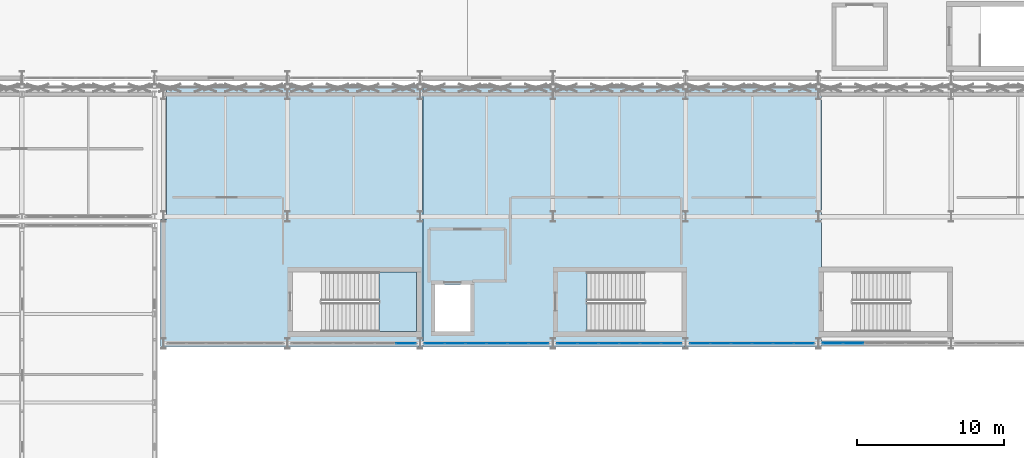
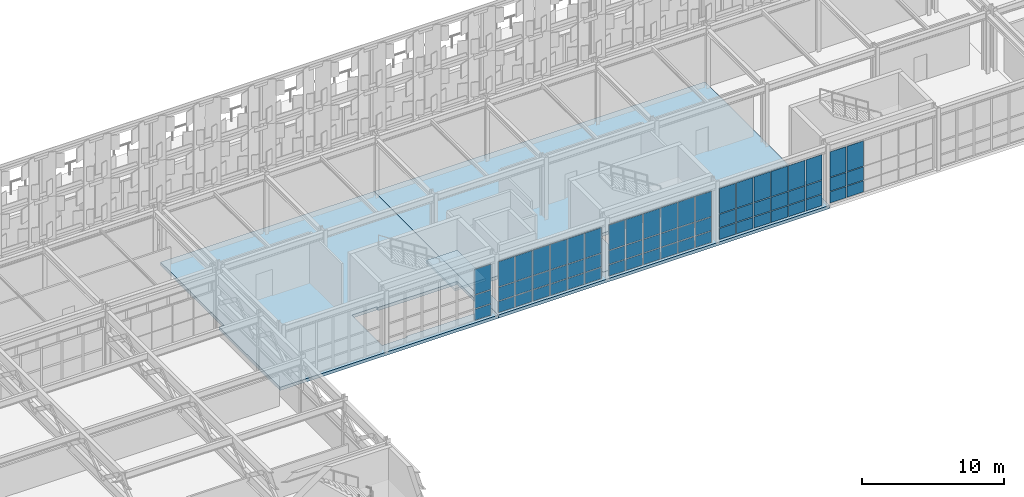
# One storey, part 137 of 210: 63 plates, 4 slabs, 6 elements without a shape of their own.
"""IFC4 building model written with IfcOpenShell, lengths in metres."""

from ifc_helpers import new_model, si_unit, direction, frame, origin, origin_2d, place, context, subcontext, project, spatial, polyline, rectangle, outline, extrude, material, layer, layer_set, type_object, element, aggregate, save


model = new_model("IFC4")

# Units and contexts
model_context = context("Model", 3, precision=1e-05, world=origin(), true_north=direction((0.0, 1.0)))
body_context = subcontext(model_context, "Body", "Model", "MODEL_VIEW")
ifc_project = project(units=[si_unit("LENGTHUNIT", "METRE"), si_unit("AREAUNIT", "SQUARE_METRE"), si_unit("VOLUMEUNIT", "CUBIC_METRE"), si_unit("PLANEANGLEUNIT", "RADIAN"), si_unit("MASSUNIT", "GRAM", prefix="KILO")], contexts=[model_context])

# Site, building, storey
site_placement = place(None, origin())
site = spatial("IfcSite", under=ifc_project, at=site_placement, CompositionType="ELEMENT")
building_placement = place(site_placement, origin())
building = spatial("IfcBuilding", under=site, at=building_placement, Name="Kaldris Quays Convention Centre", CompositionType="ELEMENT")
storey_placement = place(building_placement, frame((0.0, 0.0, 6.0)))
storey = spatial("IfcBuildingStorey", under=building, at=storey_placement, Name="L01", CompositionType="ELEMENT", Elevation=6.0)

# Curtain wall, plates
ifc_material_1 = material(Name="Anodized aluminium AW-6060 and triple glazing", Category="aluminium")
curtain_wall_type = type_object("IfcCurtainWallType", Name="UNITISED CURTAIN WALL CW04", PredefinedType="NOTDEFINED", material=ifc_material_1)
curtain_wall_1_placement = place(storey_placement, origin())
curtain_wall_1 = element("IfcCurtainWall", 1, at=curtain_wall_1_placement, inside=storey, type_object=curtain_wall_type, Name="L01 Unitised Curtain Wall CW04 108", PredefinedType="NOTDEFINED")
ifc_material_2 = material(Name="Triple low-E insulated glazing", Category="glass")
plate_type_1 = type_object("IfcPlateType", Name="CURTAIN GLAZING PANEL CWP4", PredefinedType="CURTAIN_PANEL", material=ifc_material_2)
plate_1_placement = place(storey_placement, frame((100.026611328125, 38.0, 0.06005859375), z_axis=(0.0, 0.0, 1.0), x_axis=(1.0, 0.0, 0.0)))
plate_1 = element("IfcPlate", 2, at=plate_1_placement, type_object=plate_type_1, Name="CW04 panel 6.1", PredefinedType="CURTAIN_PANEL", context=body_context, shape_type="SweptSolid", body=[
    extrude(rectangle(XDim=1.32666015625, YDim=0.0439453125, at=origin_2d()), origin(), (0.0, 0.0, 1.0), 0.9599609375),
])
plate_2_placement = place(storey_placement, frame((100.026611328125, 38.0, 1.080078125), z_axis=(0.0, 0.0, 1.0), x_axis=(1.0, 0.0, 0.0)))
plate_2 = element("IfcPlate", 3, at=plate_2_placement, type_object=plate_type_1, Name="CW04 panel 6.2", PredefinedType="CURTAIN_PANEL", context=body_context, shape_type="SweptSolid", body=[
    extrude(rectangle(XDim=1.32666015625, YDim=0.0439453125, at=origin_2d()), origin(), (0.0, 0.0, 1.0), 1.14892578125),
])
plate_3_placement = place(storey_placement, frame((100.026611328125, 38.0, 2.2890625), z_axis=(0.0, 0.0, 1.0), x_axis=(1.0, 0.0, 0.0)))
plate_3 = element("IfcPlate", 4, at=plate_3_placement, type_object=plate_type_1, Name="CW04 panel 6.3", PredefinedType="CURTAIN_PANEL", context=body_context, shape_type="SweptSolid", body=[
    extrude(rectangle(XDim=1.32666015625, YDim=0.0439453125, at=origin_2d()), origin(), (0.0, 0.0, 1.0), 2.1689453125),
])
aggregate(curtain_wall_1, [plate_1, plate_2, plate_3])

curtain_wall_2_placement = place(storey_placement, origin())
curtain_wall_2 = element("IfcCurtainWall", 5, at=curtain_wall_2_placement, inside=storey, type_object=curtain_wall_type, Name="L01 Unitised Curtain Wall CW04 109", PredefinedType="NOTDEFINED")
plate_type_2 = type_object("IfcPlateType", Name="CURTAIN GLAZING PANEL CWP5", PredefinedType="CURTAIN_PANEL", material=ifc_material_2)
plate_4_placement = place(storey_placement, frame((101.973388671875, 38.0, 0.06005859375), z_axis=(0.0, 0.0, 1.0), x_axis=(1.0, 0.0, 0.0)))
plate_4 = element("IfcPlate", 6, at=plate_4_placement, type_object=plate_type_2, Name="CW04 panel 1.1", PredefinedType="CURTAIN_PANEL", context=body_context, shape_type="SweptSolid", body=[
    extrude(rectangle(XDim=1.32666015625, YDim=0.049072265625, at=origin_2d()), origin(), (0.0, 0.0, 1.0), 0.9599609375),
])
plate_5_placement = place(storey_placement, frame((101.973388671875, 38.0, 1.080078125), z_axis=(0.0, 0.0, 1.0), x_axis=(1.0, 0.0, 0.0)))
plate_5 = element("IfcPlate", 7, at=plate_5_placement, type_object=plate_type_2, Name="CW04 panel 1.2", PredefinedType="CURTAIN_PANEL", context=body_context, shape_type="SweptSolid", body=[
    extrude(rectangle(XDim=1.32666015625, YDim=0.049072265625, at=origin_2d()), origin(), (0.0, 0.0, 1.0), 1.14892578125),
])
plate_6_placement = place(storey_placement, frame((101.973388671875, 38.0, 2.2890625), z_axis=(0.0, 0.0, 1.0), x_axis=(1.0, 0.0, 0.0)))
plate_6 = element("IfcPlate", 8, at=plate_6_placement, type_object=plate_type_2, Name="CW04 panel 1.3", PredefinedType="CURTAIN_PANEL", context=body_context, shape_type="SweptSolid", body=[
    extrude(rectangle(XDim=1.32666015625, YDim=0.049072265625, at=origin_2d()), origin(), (0.0, 0.0, 1.0), 2.1689453125),
])
plate_7_placement = place(storey_placement, frame((103.375, 38.0, 0.06005859375), z_axis=(0.0, 0.0, 1.0), x_axis=(1.0, 0.0, 0.0)))
plate_7 = element("IfcPlate", 9, at=plate_7_placement, type_object=plate_type_2, Name="CW04 panel 2.1", PredefinedType="CURTAIN_PANEL", context=body_context, shape_type="SweptSolid", body=[
    extrude(rectangle(XDim=1.356689453125, YDim=0.049072265625, at=origin_2d()), origin(), (0.0, 0.0, 1.0), 0.9599609375),
])
plate_8_placement = place(storey_placement, frame((103.375, 38.0, 1.080078125), z_axis=(0.0, 0.0, 1.0), x_axis=(1.0, 0.0, 0.0)))
plate_8 = element("IfcPlate", 10, at=plate_8_placement, type_object=plate_type_2, Name="CW04 panel 2.2", PredefinedType="CURTAIN_PANEL", context=body_context, shape_type="SweptSolid", body=[
    extrude(rectangle(XDim=1.356689453125, YDim=0.049072265625, at=origin_2d()), origin(), (0.0, 0.0, 1.0), 1.14892578125),
])
plate_9_placement = place(storey_placement, frame((103.375, 38.0, 2.2890625), z_axis=(0.0, 0.0, 1.0), x_axis=(1.0, 0.0, 0.0)))
plate_9 = element("IfcPlate", 11, at=plate_9_placement, type_object=plate_type_2, Name="CW04 panel 2.3", PredefinedType="CURTAIN_PANEL", context=body_context, shape_type="SweptSolid", body=[
    extrude(rectangle(XDim=1.356689453125, YDim=0.049072265625, at=origin_2d()), origin(), (0.0, 0.0, 1.0), 2.1689453125),
])
plate_10_placement = place(storey_placement, frame((104.791748046875, 38.0, 0.06005859375), z_axis=(0.0, 0.0, 1.0), x_axis=(1.0, 0.0, 0.0)))
plate_10 = element("IfcPlate", 12, at=plate_10_placement, type_object=plate_type_2, Name="CW04 panel 3.1", PredefinedType="CURTAIN_PANEL", context=body_context, shape_type="SweptSolid", body=[
    extrude(rectangle(XDim=1.356689453125, YDim=0.049072265625, at=origin_2d()), origin(), (0.0, 0.0, 1.0), 0.9599609375),
])
plate_11_placement = place(storey_placement, frame((104.791748046875, 38.0, 1.080078125), z_axis=(0.0, 0.0, 1.0), x_axis=(1.0, 0.0, 0.0)))
plate_11 = element("IfcPlate", 13, at=plate_11_placement, type_object=plate_type_2, Name="CW04 panel 3.2", PredefinedType="CURTAIN_PANEL", context=body_context, shape_type="SweptSolid", body=[
    extrude(rectangle(XDim=1.356689453125, YDim=0.049072265625, at=origin_2d()), origin(), (0.0, 0.0, 1.0), 1.14892578125),
])
plate_12_placement = place(storey_placement, frame((104.791748046875, 38.0, 2.2890625), z_axis=(0.0, 0.0, 1.0), x_axis=(1.0, 0.0, 0.0)))
plate_12 = element("IfcPlate", 14, at=plate_12_placement, type_object=plate_type_2, Name="CW04 panel 3.3", PredefinedType="CURTAIN_PANEL", context=body_context, shape_type="SweptSolid", body=[
    extrude(rectangle(XDim=1.356689453125, YDim=0.049072265625, at=origin_2d()), origin(), (0.0, 0.0, 1.0), 2.1689453125),
])
plate_13_placement = place(storey_placement, frame((106.208251953125, 38.0, 0.06005859375), z_axis=(0.0, 0.0, 1.0), x_axis=(1.0, 0.0, 0.0)))
plate_13 = element("IfcPlate", 15, at=plate_13_placement, type_object=plate_type_2, Name="CW04 panel 4.1", PredefinedType="CURTAIN_PANEL", context=body_context, shape_type="SweptSolid", body=[
    extrude(rectangle(XDim=1.356689453125, YDim=0.049072265625, at=origin_2d()), origin(), (0.0, 0.0, 1.0), 0.9599609375),
])
plate_14_placement = place(storey_placement, frame((106.208251953125, 38.0, 1.080078125), z_axis=(0.0, 0.0, 1.0), x_axis=(1.0, 0.0, 0.0)))
plate_14 = element("IfcPlate", 16, at=plate_14_placement, type_object=plate_type_2, Name="CW04 panel 4.2", PredefinedType="CURTAIN_PANEL", context=body_context, shape_type="SweptSolid", body=[
    extrude(rectangle(XDim=1.356689453125, YDim=0.049072265625, at=origin_2d()), origin(), (0.0, 0.0, 1.0), 1.14892578125),
])
plate_15_placement = place(storey_placement, frame((106.208251953125, 38.0, 2.2890625), z_axis=(0.0, 0.0, 1.0), x_axis=(1.0, 0.0, 0.0)))
plate_15 = element("IfcPlate", 17, at=plate_15_placement, type_object=plate_type_2, Name="CW04 panel 4.3", PredefinedType="CURTAIN_PANEL", context=body_context, shape_type="SweptSolid", body=[
    extrude(rectangle(XDim=1.356689453125, YDim=0.049072265625, at=origin_2d()), origin(), (0.0, 0.0, 1.0), 2.1689453125),
])
plate_16_placement = place(storey_placement, frame((107.625, 38.0, 0.06005859375), z_axis=(0.0, 0.0, 1.0), x_axis=(1.0, 0.0, 0.0)))
plate_16 = element("IfcPlate", 18, at=plate_16_placement, type_object=plate_type_2, Name="CW04 panel 5.1", PredefinedType="CURTAIN_PANEL", context=body_context, shape_type="SweptSolid", body=[
    extrude(rectangle(XDim=1.356689453125, YDim=0.049072265625, at=origin_2d()), origin(), (0.0, 0.0, 1.0), 0.9599609375),
])
plate_17_placement = place(storey_placement, frame((107.625, 38.0, 1.080078125), z_axis=(0.0, 0.0, 1.0), x_axis=(1.0, 0.0, 0.0)))
plate_17 = element("IfcPlate", 19, at=plate_17_placement, type_object=plate_type_2, Name="CW04 panel 5.2", PredefinedType="CURTAIN_PANEL", context=body_context, shape_type="SweptSolid", body=[
    extrude(rectangle(XDim=1.356689453125, YDim=0.049072265625, at=origin_2d()), origin(), (0.0, 0.0, 1.0), 1.14892578125),
])
plate_18_placement = place(storey_placement, frame((107.625, 38.0, 2.2890625), z_axis=(0.0, 0.0, 1.0), x_axis=(1.0, 0.0, 0.0)))
plate_18 = element("IfcPlate", 20, at=plate_18_placement, type_object=plate_type_2, Name="CW04 panel 5.3", PredefinedType="CURTAIN_PANEL", context=body_context, shape_type="SweptSolid", body=[
    extrude(rectangle(XDim=1.356689453125, YDim=0.049072265625, at=origin_2d()), origin(), (0.0, 0.0, 1.0), 2.1689453125),
])
plate_19_placement = place(storey_placement, frame((109.026611328125, 38.0, 0.06005859375), z_axis=(0.0, 0.0, 1.0), x_axis=(1.0, 0.0, 0.0)))
plate_19 = element("IfcPlate", 21, at=plate_19_placement, type_object=plate_type_2, Name="CW04 panel 6.1", PredefinedType="CURTAIN_PANEL", context=body_context, shape_type="SweptSolid", body=[
    extrude(rectangle(XDim=1.32666015625, YDim=0.049072265625, at=origin_2d()), origin(), (0.0, 0.0, 1.0), 0.9599609375),
])
plate_20_placement = place(storey_placement, frame((109.026611328125, 38.0, 1.080078125), z_axis=(0.0, 0.0, 1.0), x_axis=(1.0, 0.0, 0.0)))
plate_20 = element("IfcPlate", 22, at=plate_20_placement, type_object=plate_type_2, Name="CW04 panel 6.2", PredefinedType="CURTAIN_PANEL", context=body_context, shape_type="SweptSolid", body=[
    extrude(rectangle(XDim=1.32666015625, YDim=0.049072265625, at=origin_2d()), origin(), (0.0, 0.0, 1.0), 1.14892578125),
])
plate_21_placement = place(storey_placement, frame((109.026611328125, 38.0, 2.2890625), z_axis=(0.0, 0.0, 1.0), x_axis=(1.0, 0.0, 0.0)))
plate_21 = element("IfcPlate", 23, at=plate_21_placement, type_object=plate_type_2, Name="CW04 panel 6.3", PredefinedType="CURTAIN_PANEL", context=body_context, shape_type="SweptSolid", body=[
    extrude(rectangle(XDim=1.32666015625, YDim=0.049072265625, at=origin_2d()), origin(), (0.0, 0.0, 1.0), 2.1689453125),
])
aggregate(curtain_wall_2, [plate_4, plate_5, plate_6, plate_7, plate_8, plate_9, plate_10, plate_11, plate_12, plate_13, plate_14, plate_15, plate_16, plate_17, plate_18, plate_19, plate_20, plate_21])

curtain_wall_3_placement = place(storey_placement, origin())
curtain_wall_3 = element("IfcCurtainWall", 24, at=curtain_wall_3_placement, inside=storey, type_object=curtain_wall_type, Name="L01 Unitised Curtain Wall CW04 110", PredefinedType="NOTDEFINED")
plate_type_3 = type_object("IfcPlateType", Name="CURTAIN GLAZING PANEL CWP6", PredefinedType="CURTAIN_PANEL", material=ifc_material_2)
plate_22_placement = place(storey_placement, frame((110.973388671875, 38.0, 0.06005859375), z_axis=(0.0, 0.0, 1.0), x_axis=(1.0, 0.0, 0.0)))
plate_22 = element("IfcPlate", 25, at=plate_22_placement, type_object=plate_type_3, Name="CW04 panel 1.1", PredefinedType="CURTAIN_PANEL", context=body_context, shape_type="SweptSolid", body=[
    extrude(rectangle(XDim=1.32666015625, YDim=0.053955078125, at=origin_2d()), origin(), (0.0, 0.0, 1.0), 0.9599609375),
])
plate_23_placement = place(storey_placement, frame((110.973388671875, 38.0, 1.080078125), z_axis=(0.0, 0.0, 1.0), x_axis=(1.0, 0.0, 0.0)))
plate_23 = element("IfcPlate", 26, at=plate_23_placement, type_object=plate_type_3, Name="CW04 panel 1.2", PredefinedType="CURTAIN_PANEL", context=body_context, shape_type="SweptSolid", body=[
    extrude(rectangle(XDim=1.32666015625, YDim=0.053955078125, at=origin_2d()), origin(), (0.0, 0.0, 1.0), 1.14892578125),
])
plate_24_placement = place(storey_placement, frame((110.973388671875, 38.0, 2.2890625), z_axis=(0.0, 0.0, 1.0), x_axis=(1.0, 0.0, 0.0)))
plate_24 = element("IfcPlate", 27, at=plate_24_placement, type_object=plate_type_3, Name="CW04 panel 1.3", PredefinedType="CURTAIN_PANEL", context=body_context, shape_type="SweptSolid", body=[
    extrude(rectangle(XDim=1.32666015625, YDim=0.053955078125, at=origin_2d()), origin(), (0.0, 0.0, 1.0), 2.1689453125),
])
plate_25_placement = place(storey_placement, frame((112.375, 38.0, 0.06005859375), z_axis=(0.0, 0.0, 1.0), x_axis=(1.0, 0.0, 0.0)))
plate_25 = element("IfcPlate", 28, at=plate_25_placement, type_object=plate_type_3, Name="CW04 panel 2.1", PredefinedType="CURTAIN_PANEL", context=body_context, shape_type="SweptSolid", body=[
    extrude(rectangle(XDim=1.356689453125, YDim=0.053955078125, at=origin_2d()), origin(), (0.0, 0.0, 1.0), 0.9599609375),
])
plate_26_placement = place(storey_placement, frame((112.375, 38.0, 1.080078125), z_axis=(0.0, 0.0, 1.0), x_axis=(1.0, 0.0, 0.0)))
plate_26 = element("IfcPlate", 29, at=plate_26_placement, type_object=plate_type_3, Name="CW04 panel 2.2", PredefinedType="CURTAIN_PANEL", context=body_context, shape_type="SweptSolid", body=[
    extrude(rectangle(XDim=1.356689453125, YDim=0.053955078125, at=origin_2d()), origin(), (0.0, 0.0, 1.0), 1.14892578125),
])
plate_27_placement = place(storey_placement, frame((112.375, 38.0, 2.2890625), z_axis=(0.0, 0.0, 1.0), x_axis=(1.0, 0.0, 0.0)))
plate_27 = element("IfcPlate", 30, at=plate_27_placement, type_object=plate_type_3, Name="CW04 panel 2.3", PredefinedType="CURTAIN_PANEL", context=body_context, shape_type="SweptSolid", body=[
    extrude(rectangle(XDim=1.356689453125, YDim=0.053955078125, at=origin_2d()), origin(), (0.0, 0.0, 1.0), 2.1689453125),
])
plate_28_placement = place(storey_placement, frame((113.791748046875, 38.0, 0.06005859375), z_axis=(0.0, 0.0, 1.0), x_axis=(1.0, 0.0, 0.0)))
plate_28 = element("IfcPlate", 31, at=plate_28_placement, type_object=plate_type_3, Name="CW04 panel 3.1", PredefinedType="CURTAIN_PANEL", context=body_context, shape_type="SweptSolid", body=[
    extrude(rectangle(XDim=1.356689453125, YDim=0.053955078125, at=origin_2d()), origin(), (0.0, 0.0, 1.0), 0.9599609375),
])
plate_29_placement = place(storey_placement, frame((113.791748046875, 38.0, 1.080078125), z_axis=(0.0, 0.0, 1.0), x_axis=(1.0, 0.0, 0.0)))
plate_29 = element("IfcPlate", 32, at=plate_29_placement, type_object=plate_type_3, Name="CW04 panel 3.2", PredefinedType="CURTAIN_PANEL", context=body_context, shape_type="SweptSolid", body=[
    extrude(rectangle(XDim=1.356689453125, YDim=0.053955078125, at=origin_2d()), origin(), (0.0, 0.0, 1.0), 1.14892578125),
])
plate_30_placement = place(storey_placement, frame((113.791748046875, 38.0, 2.2890625), z_axis=(0.0, 0.0, 1.0), x_axis=(1.0, 0.0, 0.0)))
plate_30 = element("IfcPlate", 33, at=plate_30_placement, type_object=plate_type_3, Name="CW04 panel 3.3", PredefinedType="CURTAIN_PANEL", context=body_context, shape_type="SweptSolid", body=[
    extrude(rectangle(XDim=1.356689453125, YDim=0.053955078125, at=origin_2d()), origin(), (0.0, 0.0, 1.0), 2.1689453125),
])
plate_31_placement = place(storey_placement, frame((115.208251953125, 38.0, 0.06005859375), z_axis=(0.0, 0.0, 1.0), x_axis=(1.0, 0.0, 0.0)))
plate_31 = element("IfcPlate", 34, at=plate_31_placement, type_object=plate_type_3, Name="CW04 panel 4.1", PredefinedType="CURTAIN_PANEL", context=body_context, shape_type="SweptSolid", body=[
    extrude(rectangle(XDim=1.356689453125, YDim=0.053955078125, at=origin_2d()), origin(), (0.0, 0.0, 1.0), 0.9599609375),
])
plate_32_placement = place(storey_placement, frame((115.208251953125, 38.0, 1.080078125), z_axis=(0.0, 0.0, 1.0), x_axis=(1.0, 0.0, 0.0)))
plate_32 = element("IfcPlate", 35, at=plate_32_placement, type_object=plate_type_3, Name="CW04 panel 4.2", PredefinedType="CURTAIN_PANEL", context=body_context, shape_type="SweptSolid", body=[
    extrude(rectangle(XDim=1.356689453125, YDim=0.053955078125, at=origin_2d()), origin(), (0.0, 0.0, 1.0), 1.14892578125),
])
plate_33_placement = place(storey_placement, frame((115.208251953125, 38.0, 2.2890625), z_axis=(0.0, 0.0, 1.0), x_axis=(1.0, 0.0, 0.0)))
plate_33 = element("IfcPlate", 36, at=plate_33_placement, type_object=plate_type_3, Name="CW04 panel 4.3", PredefinedType="CURTAIN_PANEL", context=body_context, shape_type="SweptSolid", body=[
    extrude(rectangle(XDim=1.356689453125, YDim=0.053955078125, at=origin_2d()), origin(), (0.0, 0.0, 1.0), 2.1689453125),
])
plate_34_placement = place(storey_placement, frame((116.625, 38.0, 0.06005859375), z_axis=(0.0, 0.0, 1.0), x_axis=(1.0, 0.0, 0.0)))
plate_34 = element("IfcPlate", 37, at=plate_34_placement, type_object=plate_type_3, Name="CW04 panel 5.1", PredefinedType="CURTAIN_PANEL", context=body_context, shape_type="SweptSolid", body=[
    extrude(rectangle(XDim=1.356689453125, YDim=0.053955078125, at=origin_2d()), origin(), (0.0, 0.0, 1.0), 0.9599609375),
])
plate_35_placement = place(storey_placement, frame((116.625, 38.0, 1.080078125), z_axis=(0.0, 0.0, 1.0), x_axis=(1.0, 0.0, 0.0)))
plate_35 = element("IfcPlate", 38, at=plate_35_placement, type_object=plate_type_3, Name="CW04 panel 5.2", PredefinedType="CURTAIN_PANEL", context=body_context, shape_type="SweptSolid", body=[
    extrude(rectangle(XDim=1.356689453125, YDim=0.053955078125, at=origin_2d()), origin(), (0.0, 0.0, 1.0), 1.14892578125),
])
plate_36_placement = place(storey_placement, frame((116.625, 38.0, 2.2890625), z_axis=(0.0, 0.0, 1.0), x_axis=(1.0, 0.0, 0.0)))
plate_36 = element("IfcPlate", 39, at=plate_36_placement, type_object=plate_type_3, Name="CW04 panel 5.3", PredefinedType="CURTAIN_PANEL", context=body_context, shape_type="SweptSolid", body=[
    extrude(rectangle(XDim=1.356689453125, YDim=0.053955078125, at=origin_2d()), origin(), (0.0, 0.0, 1.0), 2.1689453125),
])
plate_37_placement = place(storey_placement, frame((118.026611328125, 38.0, 0.06005859375), z_axis=(0.0, 0.0, 1.0), x_axis=(1.0, 0.0, 0.0)))
plate_37 = element("IfcPlate", 40, at=plate_37_placement, type_object=plate_type_3, Name="CW04 panel 6.1", PredefinedType="CURTAIN_PANEL", context=body_context, shape_type="SweptSolid", body=[
    extrude(rectangle(XDim=1.32666015625, YDim=0.053955078125, at=origin_2d()), origin(), (0.0, 0.0, 1.0), 0.9599609375),
])
plate_38_placement = place(storey_placement, frame((118.026611328125, 38.0, 1.080078125), z_axis=(0.0, 0.0, 1.0), x_axis=(1.0, 0.0, 0.0)))
plate_38 = element("IfcPlate", 41, at=plate_38_placement, type_object=plate_type_3, Name="CW04 panel 6.2", PredefinedType="CURTAIN_PANEL", context=body_context, shape_type="SweptSolid", body=[
    extrude(rectangle(XDim=1.32666015625, YDim=0.053955078125, at=origin_2d()), origin(), (0.0, 0.0, 1.0), 1.14892578125),
])
plate_39_placement = place(storey_placement, frame((118.026611328125, 38.0, 2.2890625), z_axis=(0.0, 0.0, 1.0), x_axis=(1.0, 0.0, 0.0)))
plate_39 = element("IfcPlate", 42, at=plate_39_placement, type_object=plate_type_3, Name="CW04 panel 6.3", PredefinedType="CURTAIN_PANEL", context=body_context, shape_type="SweptSolid", body=[
    extrude(rectangle(XDim=1.32666015625, YDim=0.053955078125, at=origin_2d()), origin(), (0.0, 0.0, 1.0), 2.1689453125),
])
aggregate(curtain_wall_3, [plate_22, plate_23, plate_24, plate_25, plate_26, plate_27, plate_28, plate_29, plate_30, plate_31, plate_32, plate_33, plate_34, plate_35, plate_36, plate_37, plate_38, plate_39])

curtain_wall_4_placement = place(storey_placement, origin())
curtain_wall_4 = element("IfcCurtainWall", 43, at=curtain_wall_4_placement, inside=storey, type_object=curtain_wall_type, Name="L01 Unitised Curtain Wall CW04 111", PredefinedType="NOTDEFINED")
plate_type_4 = type_object("IfcPlateType", Name="CURTAIN GLAZING PANEL CWP7", PredefinedType="CURTAIN_PANEL", material=ifc_material_2)
plate_40_placement = place(storey_placement, frame((119.973388671875, 38.0, 0.06005859375), z_axis=(0.0, 0.0, 1.0), x_axis=(1.0, 0.0, 0.0)))
plate_40 = element("IfcPlate", 44, at=plate_40_placement, type_object=plate_type_4, Name="CW04 panel 1.1", PredefinedType="CURTAIN_PANEL", context=body_context, shape_type="SweptSolid", body=[
    extrude(rectangle(XDim=1.32666015625, YDim=0.05908203125, at=origin_2d()), origin(), (0.0, 0.0, 1.0), 0.9599609375),
])
plate_41_placement = place(storey_placement, frame((119.973388671875, 38.0, 1.080078125), z_axis=(0.0, 0.0, 1.0), x_axis=(1.0, 0.0, 0.0)))
plate_41 = element("IfcPlate", 45, at=plate_41_placement, type_object=plate_type_4, Name="CW04 panel 1.2", PredefinedType="CURTAIN_PANEL", context=body_context, shape_type="SweptSolid", body=[
    extrude(rectangle(XDim=1.32666015625, YDim=0.05908203125, at=origin_2d()), origin(), (0.0, 0.0, 1.0), 1.14892578125),
])
plate_42_placement = place(storey_placement, frame((119.973388671875, 38.0, 2.2890625), z_axis=(0.0, 0.0, 1.0), x_axis=(1.0, 0.0, 0.0)))
plate_42 = element("IfcPlate", 46, at=plate_42_placement, type_object=plate_type_4, Name="CW04 panel 1.3", PredefinedType="CURTAIN_PANEL", context=body_context, shape_type="SweptSolid", body=[
    extrude(rectangle(XDim=1.32666015625, YDim=0.05908203125, at=origin_2d()), origin(), (0.0, 0.0, 1.0), 2.1689453125),
])
plate_43_placement = place(storey_placement, frame((121.375, 38.0, 0.06005859375), z_axis=(0.0, 0.0, 1.0), x_axis=(1.0, 0.0, 0.0)))
plate_43 = element("IfcPlate", 47, at=plate_43_placement, type_object=plate_type_4, Name="CW04 panel 2.1", PredefinedType="CURTAIN_PANEL", context=body_context, shape_type="SweptSolid", body=[
    extrude(rectangle(XDim=1.356689453125, YDim=0.05908203125, at=origin_2d()), origin(), (0.0, 0.0, 1.0), 0.9599609375),
])
plate_44_placement = place(storey_placement, frame((121.375, 38.0, 1.080078125), z_axis=(0.0, 0.0, 1.0), x_axis=(1.0, 0.0, 0.0)))
plate_44 = element("IfcPlate", 48, at=plate_44_placement, type_object=plate_type_4, Name="CW04 panel 2.2", PredefinedType="CURTAIN_PANEL", context=body_context, shape_type="SweptSolid", body=[
    extrude(rectangle(XDim=1.356689453125, YDim=0.05908203125, at=origin_2d()), origin(), (0.0, 0.0, 1.0), 1.14892578125),
])
plate_45_placement = place(storey_placement, frame((121.375, 38.0, 2.2890625), z_axis=(0.0, 0.0, 1.0), x_axis=(1.0, 0.0, 0.0)))
plate_45 = element("IfcPlate", 49, at=plate_45_placement, type_object=plate_type_4, Name="CW04 panel 2.3", PredefinedType="CURTAIN_PANEL", context=body_context, shape_type="SweptSolid", body=[
    extrude(rectangle(XDim=1.356689453125, YDim=0.05908203125, at=origin_2d()), origin(), (0.0, 0.0, 1.0), 2.1689453125),
])
plate_46_placement = place(storey_placement, frame((122.791748046875, 38.0, 0.06005859375), z_axis=(0.0, 0.0, 1.0), x_axis=(1.0, 0.0, 0.0)))
plate_46 = element("IfcPlate", 50, at=plate_46_placement, type_object=plate_type_4, Name="CW04 panel 3.1", PredefinedType="CURTAIN_PANEL", context=body_context, shape_type="SweptSolid", body=[
    extrude(rectangle(XDim=1.356689453125, YDim=0.05908203125, at=origin_2d()), origin(), (0.0, 0.0, 1.0), 0.9599609375),
])
plate_47_placement = place(storey_placement, frame((122.791748046875, 38.0, 1.080078125), z_axis=(0.0, 0.0, 1.0), x_axis=(1.0, 0.0, 0.0)))
plate_47 = element("IfcPlate", 51, at=plate_47_placement, type_object=plate_type_4, Name="CW04 panel 3.2", PredefinedType="CURTAIN_PANEL", context=body_context, shape_type="SweptSolid", body=[
    extrude(rectangle(XDim=1.356689453125, YDim=0.05908203125, at=origin_2d()), origin(), (0.0, 0.0, 1.0), 1.14892578125),
])
plate_48_placement = place(storey_placement, frame((122.791748046875, 38.0, 2.2890625), z_axis=(0.0, 0.0, 1.0), x_axis=(1.0, 0.0, 0.0)))
plate_48 = element("IfcPlate", 52, at=plate_48_placement, type_object=plate_type_4, Name="CW04 panel 3.3", PredefinedType="CURTAIN_PANEL", context=body_context, shape_type="SweptSolid", body=[
    extrude(rectangle(XDim=1.356689453125, YDim=0.05908203125, at=origin_2d()), origin(), (0.0, 0.0, 1.0), 2.1689453125),
])
plate_49_placement = place(storey_placement, frame((124.208251953125, 38.0, 0.06005859375), z_axis=(0.0, 0.0, 1.0), x_axis=(1.0, 0.0, 0.0)))
plate_49 = element("IfcPlate", 53, at=plate_49_placement, type_object=plate_type_4, Name="CW04 panel 4.1", PredefinedType="CURTAIN_PANEL", context=body_context, shape_type="SweptSolid", body=[
    extrude(rectangle(XDim=1.356689453125, YDim=0.05908203125, at=origin_2d()), origin(), (0.0, 0.0, 1.0), 0.9599609375),
])
plate_50_placement = place(storey_placement, frame((124.208251953125, 38.0, 1.080078125), z_axis=(0.0, 0.0, 1.0), x_axis=(1.0, 0.0, 0.0)))
plate_50 = element("IfcPlate", 54, at=plate_50_placement, type_object=plate_type_4, Name="CW04 panel 4.2", PredefinedType="CURTAIN_PANEL", context=body_context, shape_type="SweptSolid", body=[
    extrude(rectangle(XDim=1.356689453125, YDim=0.05908203125, at=origin_2d()), origin(), (0.0, 0.0, 1.0), 1.14892578125),
])
plate_51_placement = place(storey_placement, frame((124.208251953125, 38.0, 2.2890625), z_axis=(0.0, 0.0, 1.0), x_axis=(1.0, 0.0, 0.0)))
plate_51 = element("IfcPlate", 55, at=plate_51_placement, type_object=plate_type_4, Name="CW04 panel 4.3", PredefinedType="CURTAIN_PANEL", context=body_context, shape_type="SweptSolid", body=[
    extrude(rectangle(XDim=1.356689453125, YDim=0.05908203125, at=origin_2d()), origin(), (0.0, 0.0, 1.0), 2.1689453125),
])
plate_52_placement = place(storey_placement, frame((125.625, 38.0, 0.06005859375), z_axis=(0.0, 0.0, 1.0), x_axis=(1.0, 0.0, 0.0)))
plate_52 = element("IfcPlate", 56, at=plate_52_placement, type_object=plate_type_4, Name="CW04 panel 5.1", PredefinedType="CURTAIN_PANEL", context=body_context, shape_type="SweptSolid", body=[
    extrude(rectangle(XDim=1.356689453125, YDim=0.05908203125, at=origin_2d()), origin(), (0.0, 0.0, 1.0), 0.9599609375),
])
plate_53_placement = place(storey_placement, frame((125.625, 38.0, 1.080078125), z_axis=(0.0, 0.0, 1.0), x_axis=(1.0, 0.0, 0.0)))
plate_53 = element("IfcPlate", 57, at=plate_53_placement, type_object=plate_type_4, Name="CW04 panel 5.2", PredefinedType="CURTAIN_PANEL", context=body_context, shape_type="SweptSolid", body=[
    extrude(rectangle(XDim=1.356689453125, YDim=0.05908203125, at=origin_2d()), origin(), (0.0, 0.0, 1.0), 1.14892578125),
])
plate_54_placement = place(storey_placement, frame((125.625, 38.0, 2.2890625), z_axis=(0.0, 0.0, 1.0), x_axis=(1.0, 0.0, 0.0)))
plate_54 = element("IfcPlate", 58, at=plate_54_placement, type_object=plate_type_4, Name="CW04 panel 5.3", PredefinedType="CURTAIN_PANEL", context=body_context, shape_type="SweptSolid", body=[
    extrude(rectangle(XDim=1.356689453125, YDim=0.05908203125, at=origin_2d()), origin(), (0.0, 0.0, 1.0), 2.1689453125),
])
plate_55_placement = place(storey_placement, frame((127.026611328125, 38.0, 0.06005859375), z_axis=(0.0, 0.0, 1.0), x_axis=(1.0, 0.0, 0.0)))
plate_55 = element("IfcPlate", 59, at=plate_55_placement, type_object=plate_type_4, Name="CW04 panel 6.1", PredefinedType="CURTAIN_PANEL", context=body_context, shape_type="SweptSolid", body=[
    extrude(rectangle(XDim=1.32666015625, YDim=0.05908203125, at=origin_2d()), origin(), (0.0, 0.0, 1.0), 0.9599609375),
])
plate_56_placement = place(storey_placement, frame((127.026611328125, 38.0, 1.080078125), z_axis=(0.0, 0.0, 1.0), x_axis=(1.0, 0.0, 0.0)))
plate_56 = element("IfcPlate", 60, at=plate_56_placement, type_object=plate_type_4, Name="CW04 panel 6.2", PredefinedType="CURTAIN_PANEL", context=body_context, shape_type="SweptSolid", body=[
    extrude(rectangle(XDim=1.32666015625, YDim=0.05908203125, at=origin_2d()), origin(), (0.0, 0.0, 1.0), 1.14892578125),
])
plate_57_placement = place(storey_placement, frame((127.026611328125, 38.0, 2.2890625), z_axis=(0.0, 0.0, 1.0), x_axis=(1.0, 0.0, 0.0)))
plate_57 = element("IfcPlate", 61, at=plate_57_placement, type_object=plate_type_4, Name="CW04 panel 6.3", PredefinedType="CURTAIN_PANEL", context=body_context, shape_type="SweptSolid", body=[
    extrude(rectangle(XDim=1.32666015625, YDim=0.05908203125, at=origin_2d()), origin(), (0.0, 0.0, 1.0), 2.1689453125),
])
aggregate(curtain_wall_4, [plate_40, plate_41, plate_42, plate_43, plate_44, plate_45, plate_46, plate_47, plate_48, plate_49, plate_50, plate_51, plate_52, plate_53, plate_54, plate_55, plate_56, plate_57])

curtain_wall_5_placement = place(storey_placement, origin())
curtain_wall_5 = element("IfcCurtainWall", 62, at=curtain_wall_5_placement, inside=storey, type_object=curtain_wall_type, Name="L01 Unitised Curtain Wall CW04 112", PredefinedType="NOTDEFINED")
plate_type_5 = type_object("IfcPlateType", Name="CURTAIN GLAZING PANEL CWP8", PredefinedType="CURTAIN_PANEL", material=ifc_material_2)
plate_58_placement = place(storey_placement, frame((128.973388671875, 38.0, 0.06005859375), z_axis=(0.0, 0.0, 1.0), x_axis=(1.0, 0.0, 0.0)))
plate_58 = element("IfcPlate", 63, at=plate_58_placement, type_object=plate_type_5, Name="CW04 panel 1.1", PredefinedType="CURTAIN_PANEL", context=body_context, shape_type="SweptSolid", body=[
    extrude(rectangle(XDim=1.32666015625, YDim=0.06396484375, at=origin_2d()), origin(), (0.0, 0.0, 1.0), 0.9599609375),
])
plate_59_placement = place(storey_placement, frame((128.973388671875, 38.0, 1.080078125), z_axis=(0.0, 0.0, 1.0), x_axis=(1.0, 0.0, 0.0)))
plate_59 = element("IfcPlate", 64, at=plate_59_placement, type_object=plate_type_5, Name="CW04 panel 1.2", PredefinedType="CURTAIN_PANEL", context=body_context, shape_type="SweptSolid", body=[
    extrude(rectangle(XDim=1.32666015625, YDim=0.06396484375, at=origin_2d()), origin(), (0.0, 0.0, 1.0), 1.14892578125),
])
plate_60_placement = place(storey_placement, frame((128.973388671875, 38.0, 2.2890625), z_axis=(0.0, 0.0, 1.0), x_axis=(1.0, 0.0, 0.0)))
plate_60 = element("IfcPlate", 65, at=plate_60_placement, type_object=plate_type_5, Name="CW04 panel 1.3", PredefinedType="CURTAIN_PANEL", context=body_context, shape_type="SweptSolid", body=[
    extrude(rectangle(XDim=1.32666015625, YDim=0.06396484375, at=origin_2d()), origin(), (0.0, 0.0, 1.0), 2.1689453125),
])
plate_61_placement = place(storey_placement, frame((130.375, 38.0, 0.06005859375), z_axis=(0.0, 0.0, 1.0), x_axis=(1.0, 0.0, 0.0)))
plate_61 = element("IfcPlate", 66, at=plate_61_placement, type_object=plate_type_5, Name="CW04 panel 2.1", PredefinedType="CURTAIN_PANEL", context=body_context, shape_type="SweptSolid", body=[
    extrude(rectangle(XDim=1.356689453125, YDim=0.06396484375, at=origin_2d()), origin(), (0.0, 0.0, 1.0), 0.9599609375),
])
plate_62_placement = place(storey_placement, frame((130.375, 38.0, 1.080078125), z_axis=(0.0, 0.0, 1.0), x_axis=(1.0, 0.0, 0.0)))
plate_62 = element("IfcPlate", 67, at=plate_62_placement, type_object=plate_type_5, Name="CW04 panel 2.2", PredefinedType="CURTAIN_PANEL", context=body_context, shape_type="SweptSolid", body=[
    extrude(rectangle(XDim=1.356689453125, YDim=0.06396484375, at=origin_2d()), origin(), (0.0, 0.0, 1.0), 1.14892578125),
])
plate_63_placement = place(storey_placement, frame((130.375, 38.0, 2.2890625), z_axis=(0.0, 0.0, 1.0), x_axis=(1.0, 0.0, 0.0)))
plate_63 = element("IfcPlate", 68, at=plate_63_placement, type_object=plate_type_5, Name="CW04 panel 2.3", PredefinedType="CURTAIN_PANEL", context=body_context, shape_type="SweptSolid", body=[
    extrude(rectangle(XDim=1.356689453125, YDim=0.06396484375, at=origin_2d()), origin(), (0.0, 0.0, 1.0), 2.1689453125),
])
aggregate(curtain_wall_5, [plate_58, plate_59, plate_60, plate_61, plate_62, plate_63])

# Stair, slab
ifc_material_3 = material(Name="Concrete C35/45", Category="concrete")
stair_type = type_object("IfcStairType", Name="DOGLEG ESCAPE STAIR STF1", PredefinedType="TWO_STRAIGHT_RUN_STAIR", material=ifc_material_3)
stair_placement = place(storey_placement, origin())
stair = element("IfcStair", 69, at=stair_placement, inside=storey, type_object=stair_type, Name="L01 Escape Stair ST11", PredefinedType="TWO_STRAIGHT_RUN_STAIR")
ifc_layer_1 = layer(ifc_material_3, 0.205078125)
ifc_layer_set_1 = layer_set([ifc_layer_1], Name="Concrete C35/45")
slab_type_1 = type_object("IfcSlabType", Name="STAIR LANDING SLAB LS01", PredefinedType="LANDING", material=ifc_layer_set_1)
slab_1_placement = place(storey_placement, frame((0.0, 0.0, 2.4951171875)))
slab_1 = element("IfcSlab", 70, at=slab_1_placement, type_object=slab_type_1, Name="STF1 landing 1", PredefinedType="LANDING", context=body_context, shape_type="SweptSolid", body=[
    extrude(outline(polyline([(98.219970703125, 38.800048828125), (100.75, 38.800048828125), (100.75, 42.85009765625), (98.219970703125, 42.85009765625), (98.219970703125, 38.800048828125)])), origin(), (0.0, 0.0, 1.0), 0.204833984375),
])
aggregate(stair, [slab_1])

# Slabs
ifc_layer_2 = layer(ifc_material_3, 0.27490234375)
ifc_layer_set_2 = layer_set([ifc_layer_2], Name="Concrete C35/45")
slab_type_2 = type_object("IfcSlabType", Name="STRUCTURAL SLAB FS05", PredefinedType="FLOOR", material=ifc_layer_set_2)
slab_2_placement = place(storey_placement, frame((0.0, 0.0, -0.27490234375)))
element("IfcSlab", 71, at=slab_2_placement, inside=storey, type_object=slab_type_2, Name="L01 ST13 Core Floor Landing Slab", PredefinedType="FLOOR", context=body_context, shape_type="SweptSolid", body=[
    extrude(outline(polyline([(110.22998046875, 38.679931640625), (112.300048828125, 38.679931640625), (112.300048828125, 42.969970703125), (110.22998046875, 42.969970703125), (110.22998046875, 38.679931640625)])), origin(), (0.0, 0.0, 1.0), 0.27490234375),
])
slab_3_placement = place(storey_placement, frame((0.0, 0.0, -0.27490234375)))
element("IfcSlab", 72, at=slab_3_placement, inside=storey, type_object=slab_type_2, Name="L01 V4 L01 South 1 SLAB-L01-V4S-1", PredefinedType="FLOOR", context=body_context, shape_type="SweptSolid", body=[
    extrude(outline(polyline([(101.199951171875, 55.375), (101.199951171875, 37.800048828125), (83.39990234375, 37.800048828125), (83.39990234375, 46.39794921875), (83.802001953125, 46.39990234375), (83.802001953125, 55.375), (101.199951171875, 55.375)]), holes=[polyline([(94.30078125, 42.9716796875), (92.228271484375, 42.970947265625), (92.22900390625, 38.67822265625), (94.30029296875, 38.677978515625), (94.302001953125, 38.800048828125), (100.75, 38.800048828125), (100.75, 42.85009765625), (94.302001953125, 42.85009765625), (94.30078125, 42.9716796875)])]), origin(), (0.0, 0.0, 1.0), 0.27490234375),
])
slab_4_placement = place(storey_placement, frame((0.0, 0.0, -0.27490234375)))
element("IfcSlab", 73, at=slab_4_placement, inside=storey, type_object=slab_type_2, Name="L01 V4 L01 South 2 SLAB-L01-V4S-2", PredefinedType="FLOOR", context=body_context, shape_type="SweptSolid", body=[
    extrude(outline(polyline([(128.199951171875, 55.375), (128.199951171875, 37.800048828125), (101.201904296875, 37.800048828125), (101.201904296875, 55.375), (128.199951171875, 55.375)]), holes=[polyline([(104.39990234375, 38.800048828125), (104.39990234375, 42.0), (102.0, 42.0), (102.0, 38.800048828125), (104.39990234375, 38.800048828125)]), polyline([(112.30078125, 42.9716796875), (110.228271484375, 42.970947265625), (110.22900390625, 38.67822265625), (112.30029296875, 38.677978515625), (112.302001953125, 38.800048828125), (118.75, 38.800048828125), (118.75, 42.85009765625), (112.302001953125, 42.85009765625), (112.30078125, 42.9716796875)])]), origin(), (0.0, 0.0, 1.0), 0.27490234375),
])

save(model, "model.ifc")
